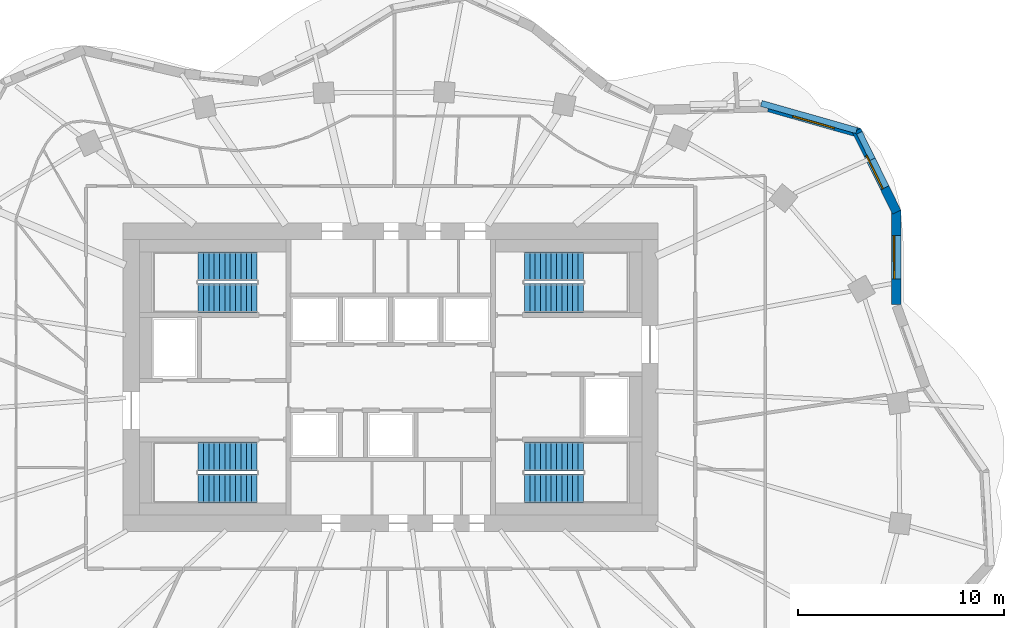
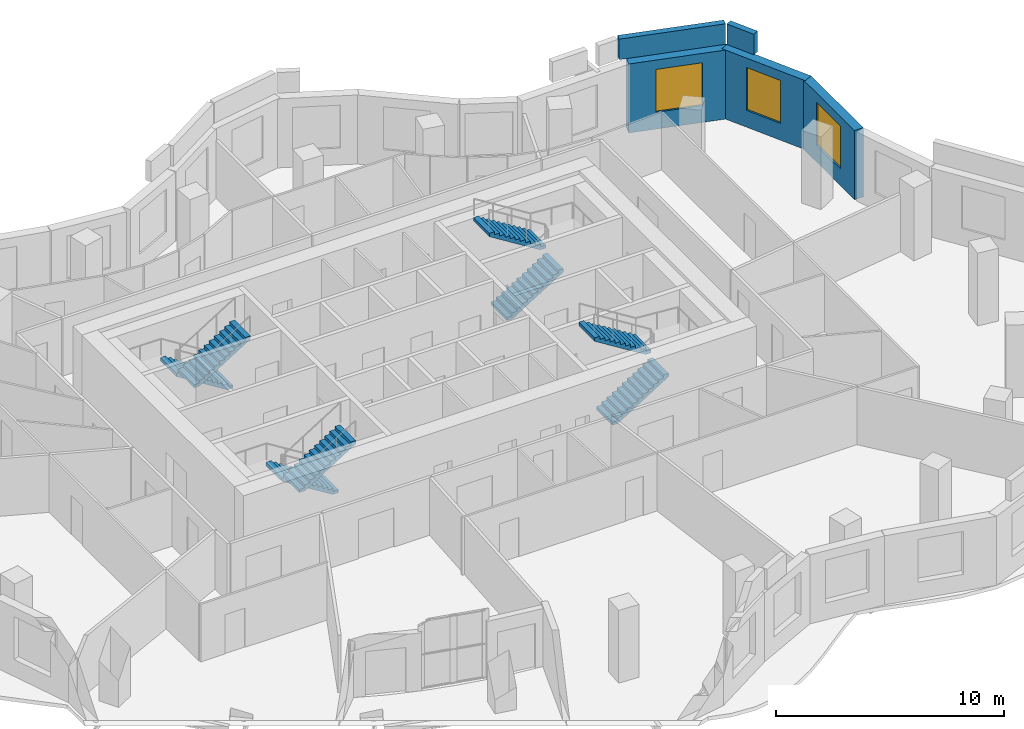
# One storey, part 11 of 13: 8 stair flights, 5 walls, 3 windows, 3 openings, 4 elements without a shape of their own.
"""IFC4 building model written with IfcOpenShell, lengths in metres."""

from ifc_helpers import new_model, si_unit, direction, frame, frame_2d, origin, place, context, subcontext, project, spatial, polyline, rectangle, outline, extrude, material, layer, layer_set, type_object, element, fill, aggregate, save


model = new_model("IFC4")

# Units and contexts
model_context = context("Model", 3, precision=1e-05, world=origin(), true_north=direction((0.0, 1.0)))
body_context = subcontext(model_context, "Body", "Model", "MODEL_VIEW")
ifc_project = project(units=[si_unit("LENGTHUNIT", "METRE"), si_unit("AREAUNIT", "SQUARE_METRE"), si_unit("VOLUMEUNIT", "CUBIC_METRE"), si_unit("PLANEANGLEUNIT", "RADIAN"), si_unit("MASSUNIT", "GRAM", prefix="KILO")], contexts=[model_context])

# Site, building, storey
site_placement = place(None, origin())
site = spatial("IfcSite", under=ifc_project, at=site_placement, CompositionType="ELEMENT")
building_placement = place(site_placement, origin())
building = spatial("IfcBuilding", under=site, at=building_placement, Name="Rubra Terraces Tower", CompositionType="ELEMENT")
storey_placement = place(building_placement, frame((0.0, 0.0, 252.60009765625)))
storey = spatial("IfcBuildingStorey", under=building, at=storey_placement, Name="L62", CompositionType="ELEMENT", Elevation=252.60009765625)

# Wall, opening, window
ifc_material_1 = material(Name="Brick masonry red-brown", Category="masonry")
ifc_layer_1 = layer(ifc_material_1, 0.449951171875)
ifc_layer_set_1 = layer_set([ifc_layer_1], Name="Brick masonry red-brown")
wall_type_1 = type_object("IfcWallType", Name="Brick facade wall 450", PredefinedType="SOLIDWALL", material=ifc_layer_set_1)
wall_1_placement = place(storey_placement, frame((24.5712890625, 8.044189453125, 0.0), z_axis=(0.0, 0.0, 1.0), x_axis=(-0.001546005189, 0.999998804933, 0.0)))
wall_1 = element("IfcWall", 1, at=wall_1_placement, inside=storey, type_object=wall_type_1, Name="Facade wall L62 bay 3", PredefinedType="SOLIDWALL", context=body_context, shape_type="SweptSolid", body=[
    extrude(rectangle(XDim=4.57958984375, YDim=0.449951171875, at=frame_2d((2.289794921875, 0.0))), origin(), (0.0, 0.0, 1.0), 3.699951171875),
])
opening_1_placement = place(wall_1_placement, frame((1.23974609375, 0.0, 0.89990234375)))
opening_1 = element("IfcOpeningElement", 2, at=opening_1_placement, cuts=wall_1, Name="Opening W1B", PredefinedType="OPENING", context=body_context, shape_type="SweptSolid", body=[
    extrude(rectangle(XDim=2.10009765625, YDim=2.300048828125, at=frame_2d((1.050048828125, 1.14990234375))), frame((0.0, 0.23486328125, 0.0), z_axis=(0.0, -1.0, 0.0), x_axis=(1.0, 0.0, 0.0)), (0.0, 0.0, 1.0), 0.469970703125),
])
ifc_material_2 = material(Name="Clear glass in aluminium frame", Category="aluminium")
window_type_1 = type_object("IfcWindowType", Name="Fixed deep-set window tall storey 2100 x 2300", PartitioningType="SINGLE_PANEL", PredefinedType="WINDOW", material=ifc_material_2)
window_1_placement = place(opening_1_placement, origin())
window_1 = element("IfcWindow", 3, at=window_1_placement, inside=storey, type_object=window_type_1, Name="Window L62 bay 3", OverallHeight=2.300048828125, OverallWidth=2.10009765625, PartitioningType="SINGLE_PANEL", PredefinedType="WINDOW", context=body_context, shape_type="SweptSolid", body=[
    extrude(rectangle(XDim=2.10009765625, YDim=2.300048828125, at=frame_2d((1.050048828125, 1.14990234375))), frame((0.0, 0.135009765625, 0.0), z_axis=(0.0, -1.0, 0.0), x_axis=(1.0, 0.0, 0.0)), (0.0, 0.0, 1.0), 0.06005859375),
])
fill(opening_1, window_1)

wall_2_placement = place(storey_placement, frame((24.587158203125, 12.531494140625, 0.0), z_axis=(0.0, 0.0, 1.0), x_axis=(-0.441565582365, 0.897228976611, 0.0)))
wall_2 = element("IfcWall", 4, at=wall_2_placement, inside=storey, type_object=wall_type_1, Name="Facade wall L62 bay 4", PredefinedType="SOLIDWALL", context=body_context, shape_type="SweptSolid", body=[
    extrude(rectangle(XDim=4.416015625, YDim=0.449951171875, at=frame_2d((2.2080078125, 0.0))), origin(), (0.0, 0.0, 1.0), 3.699951171875),
])
opening_2_placement = place(wall_2_placement, frame((1.307861328125, 0.0, 0.89990234375)))
opening_2 = element("IfcOpeningElement", 5, at=opening_2_placement, cuts=wall_2, Name="Opening W6B", PredefinedType="OPENING", context=body_context, shape_type="SweptSolid", body=[
    extrude(rectangle(XDim=1.800048828125, YDim=2.300048828125, at=frame_2d((0.89990234375, 1.14990234375))), frame((0.0, 0.23486328125, 0.0), z_axis=(0.0, -1.0, 0.0), x_axis=(1.0, 0.0, 0.0)), (0.0, 0.0, 1.0), 0.469970703125),
])
window_type_2 = type_object("IfcWindowType", Name="Fixed deep-set window at wind fin tall storey 1800 x 2300", PartitioningType="SINGLE_PANEL", PredefinedType="WINDOW", material=ifc_material_2)
window_2_placement = place(opening_2_placement, origin())
window_2 = element("IfcWindow", 6, at=window_2_placement, inside=storey, type_object=window_type_2, Name="Window L62 bay 4", OverallHeight=2.300048828125, OverallWidth=1.800048828125, PartitioningType="SINGLE_PANEL", PredefinedType="WINDOW", context=body_context, shape_type="SweptSolid", body=[
    extrude(rectangle(XDim=1.800048828125, YDim=2.300048828125, at=frame_2d((0.89990234375, 1.14990234375))), frame((0.0, 0.135009765625, 0.0), z_axis=(0.0, -1.0, 0.0), x_axis=(1.0, 0.0, 0.0)), (0.0, 0.0, 1.0), 0.06005859375),
])
fill(opening_2, window_2)

wall_3_placement = place(storey_placement, frame((22.777587890625, 16.376708984375, 0.0), z_axis=(0.0, 0.0, 1.0), x_axis=(-0.961872816949, 0.273497137123, 0.0)))
wall_3 = element("IfcWall", 7, at=wall_3_placement, inside=storey, type_object=wall_type_1, Name="Facade wall L62 bay 5", PredefinedType="SOLIDWALL", context=body_context, shape_type="SweptSolid", body=[
    extrude(rectangle(XDim=4.584716796875, YDim=0.449951171875, at=frame_2d((2.29248046875, 0.0))), origin(), (0.0, 0.0, 1.0), 3.699951171875),
])
opening_3_placement = place(wall_3_placement, frame((1.242431640625, 0.0, 0.89990234375)))
opening_3 = element("IfcOpeningElement", 8, at=opening_3_placement, cuts=wall_3, Name="Opening W1B", PredefinedType="OPENING", context=body_context, shape_type="SweptSolid", body=[
    extrude(rectangle(XDim=2.10009765625, YDim=2.300048828125, at=frame_2d((1.050048828125, 1.14990234375))), frame((0.0, 0.23486328125, 0.0), z_axis=(0.0, -1.0, 0.0), x_axis=(1.0, 0.0, 0.0)), (0.0, 0.0, 1.0), 0.469970703125),
])
window_3_placement = place(opening_3_placement, origin())
window_3 = element("IfcWindow", 9, at=window_3_placement, inside=storey, type_object=window_type_1, Name="Window L62 bay 5", OverallHeight=2.300048828125, OverallWidth=2.10009765625, PartitioningType="SINGLE_PANEL", PredefinedType="WINDOW", context=body_context, shape_type="SweptSolid", body=[
    extrude(rectangle(XDim=2.10009765625, YDim=2.300048828125, at=frame_2d((1.050048828125, 1.14990234375))), frame((0.0, 0.135009765625, 0.0), z_axis=(0.0, -1.0, 0.0), x_axis=(1.0, 0.0, 0.0)), (0.0, 0.0, 1.0), 0.06005859375),
])
fill(opening_3, window_3)

# Walls
ifc_layer_2 = layer(ifc_material_1, 0.300048828125)
ifc_layer_set_2 = layer_set([ifc_layer_2], Name="Brick masonry red-brown")
wall_type_2 = type_object("IfcWallType", Name="Brick parapet 300", PredefinedType="PARAPET", material=ifc_layer_set_2)
wall_4_placement = place(storey_placement, frame((23.40673828125, 15.099609375, 3.89990234375), z_axis=(0.0, 0.0, 1.0), x_axis=(-0.441525139575, 0.897248879143, 0.0)))
element("IfcWall", 10, at=wall_4_placement, inside=storey, type_object=wall_type_2, Name="Parapet L62 bay 4", PredefinedType="PARAPET", context=body_context, shape_type="SweptSolid", body=[
    extrude(rectangle(XDim=1.42724609375, YDim=0.300048828125, at=frame_2d((0.713623046875, 0.0))), origin(), (0.0, 0.0, 1.0), 1.10009765625),
])
wall_5_placement = place(storey_placement, frame((22.640869140625, 16.493408203125, 3.89990234375), z_axis=(0.0, 0.0, 1.0), x_axis=(-0.961855991684, 0.273556303641, 0.0)))
element("IfcWall", 11, at=wall_5_placement, inside=storey, type_object=wall_type_2, Name="Parapet L62 bay 5", PredefinedType="PARAPET", context=body_context, shape_type="SweptSolid", body=[
    extrude(rectangle(XDim=4.817626953125, YDim=0.300048828125, at=frame_2d((2.40869140625, 0.0))), origin(), (0.0, 0.0, 1.0), 1.10009765625),
])

# Stair, stair flights
ifc_material_3 = material(Name="Concrete C40", Category="concrete")
stair_type = type_object("IfcStairType", Name="Core stair 1400", PredefinedType="HALF_TURN_STAIR", material=ifc_material_3)
stair_1_placement = place(storey_placement, origin())
stair_1 = element("IfcStair", 12, at=stair_1_placement, inside=storey, type_object=stair_type, Name="L62 Exit stair S1", PredefinedType="HALF_TURN_STAIR")
stair_flight_type = type_object("IfcStairFlightType", Name="Core stair flight 1400", PredefinedType="STRAIGHT", material=ifc_material_3)
stair_flight_1_placement = place(storey_placement, frame((-6.5, 0.64990234375, 0.0), z_axis=(0.0, 0.0, 1.0), x_axis=(-1.0, 0.0, 0.0)))
stair_flight_1 = element("IfcStairFlight", 13, at=stair_flight_1_placement, type_object=stair_flight_type, Name="S1 flight 1", NumberOfRisers=12, NumberOfTreads=11, PredefinedType="STRAIGHT", RiserHeight=0.1625, TreadLength=0.26, context=body_context, shape_type="SweptSolid", body=[
    extrude(outline(polyline([(0.0, 0.0), (0.0, 0.16259765625), (0.260009765625, 0.16259765625), (0.260009765625, 0.324951171875), (0.52001953125, 0.324951171875), (0.52001953125, 0.487548828125), (0.780029296875, 0.487548828125), (0.780029296875, 0.64990234375), (1.0400390625, 0.64990234375), (1.0400390625, 0.8125), (1.300048828125, 0.8125), (1.300048828125, 0.97509765625), (1.56005859375, 0.97509765625), (1.56005859375, 1.137451171875), (1.820068359375, 1.137451171875), (1.820068359375, 1.300048828125), (2.080078125, 1.300048828125), (2.080078125, 1.46240234375), (2.340087890625, 1.46240234375), (2.340087890625, 1.625), (2.60009765625, 1.625), (2.60009765625, 1.78759765625), (2.860107421875, 1.78759765625), (2.860107421875, 1.949951171875), (2.860107421875, 1.61083984375), (0.28271484375, 0.0), (0.0, 0.0)])), frame((0.0, 0.699951171875, 0.0), z_axis=(0.0, -1.0, 0.0), x_axis=(1.0, 0.0, 0.0)), (0.0, 0.0, 1.0), 1.39990234375),
])
stair_flight_2_placement = place(storey_placement, frame((-9.360107421875, -0.89990234375, 1.949951171875), z_axis=(0.0, 0.0, 1.0), x_axis=(1.0, 0.0, 0.0)))
stair_flight_2 = element("IfcStairFlight", 14, at=stair_flight_2_placement, type_object=stair_flight_type, Name="S1 flight 2", NumberOfRisers=12, NumberOfTreads=11, PredefinedType="STRAIGHT", RiserHeight=0.1625, TreadLength=0.26, context=body_context, shape_type="SweptSolid", body=[
    extrude(outline(polyline([(0.0, 0.0), (0.0, 0.16259765625), (0.260009765625, 0.16259765625), (0.260009765625, 0.324951171875), (0.52001953125, 0.324951171875), (0.52001953125, 0.487548828125), (0.780029296875, 0.487548828125), (0.780029296875, 0.64990234375), (1.0400390625, 0.64990234375), (1.0400390625, 0.8125), (1.300048828125, 0.8125), (1.300048828125, 0.97509765625), (1.56005859375, 0.97509765625), (1.56005859375, 1.137451171875), (1.820068359375, 1.137451171875), (1.820068359375, 1.300048828125), (2.080078125, 1.300048828125), (2.080078125, 1.46240234375), (2.340087890625, 1.46240234375), (2.340087890625, 1.625), (2.60009765625, 1.625), (2.60009765625, 1.78759765625), (2.860107421875, 1.78759765625), (2.860107421875, 1.949951171875), (2.860107421875, 1.61083984375), (0.28271484375, 0.0), (0.0, 0.0)])), frame((0.0, 0.699951171875, 0.0), z_axis=(0.0, -1.0, 0.0), x_axis=(1.0, 0.0, 0.0)), (0.0, 0.0, 1.0), 1.39990234375),
])
aggregate(stair_1, [stair_flight_1, stair_flight_2])

stair_2_placement = place(storey_placement, origin())
stair_2 = element("IfcStair", 15, at=stair_2_placement, inside=storey, type_object=stair_type, Name="L62 Exit stair S2", PredefinedType="HALF_TURN_STAIR")
stair_flight_3_placement = place(storey_placement, frame((-6.5, 9.89990234375, 0.0), z_axis=(0.0, 0.0, 1.0), x_axis=(-1.0, 0.0, 0.0)))
stair_flight_3 = element("IfcStairFlight", 16, at=stair_flight_3_placement, type_object=stair_flight_type, Name="S2 flight 1", NumberOfRisers=12, NumberOfTreads=11, PredefinedType="STRAIGHT", RiserHeight=0.1625, TreadLength=0.26, context=body_context, shape_type="SweptSolid", body=[
    extrude(outline(polyline([(0.0, 0.0), (0.0, 0.16259765625), (0.260009765625, 0.16259765625), (0.260009765625, 0.324951171875), (0.52001953125, 0.324951171875), (0.52001953125, 0.487548828125), (0.780029296875, 0.487548828125), (0.780029296875, 0.64990234375), (1.0400390625, 0.64990234375), (1.0400390625, 0.8125), (1.300048828125, 0.8125), (1.300048828125, 0.97509765625), (1.56005859375, 0.97509765625), (1.56005859375, 1.137451171875), (1.820068359375, 1.137451171875), (1.820068359375, 1.300048828125), (2.080078125, 1.300048828125), (2.080078125, 1.46240234375), (2.340087890625, 1.46240234375), (2.340087890625, 1.625), (2.60009765625, 1.625), (2.60009765625, 1.78759765625), (2.860107421875, 1.78759765625), (2.860107421875, 1.949951171875), (2.860107421875, 1.61083984375), (0.28271484375, 0.0), (0.0, 0.0)])), frame((0.0, 0.699951171875, 0.0), z_axis=(0.0, -1.0, 0.0), x_axis=(1.0, 0.0, 0.0)), (0.0, 0.0, 1.0), 1.39990234375),
])
stair_flight_4_placement = place(storey_placement, frame((-9.360107421875, 8.35009765625, 1.949951171875), z_axis=(0.0, 0.0, 1.0), x_axis=(1.0, 0.0, 0.0)))
stair_flight_4 = element("IfcStairFlight", 17, at=stair_flight_4_placement, type_object=stair_flight_type, Name="S2 flight 2", NumberOfRisers=12, NumberOfTreads=11, PredefinedType="STRAIGHT", RiserHeight=0.1625, TreadLength=0.26, context=body_context, shape_type="SweptSolid", body=[
    extrude(outline(polyline([(0.0, 0.0), (0.0, 0.16259765625), (0.260009765625, 0.16259765625), (0.260009765625, 0.324951171875), (0.52001953125, 0.324951171875), (0.52001953125, 0.487548828125), (0.780029296875, 0.487548828125), (0.780029296875, 0.64990234375), (1.0400390625, 0.64990234375), (1.0400390625, 0.8125), (1.300048828125, 0.8125), (1.300048828125, 0.97509765625), (1.56005859375, 0.97509765625), (1.56005859375, 1.137451171875), (1.820068359375, 1.137451171875), (1.820068359375, 1.300048828125), (2.080078125, 1.300048828125), (2.080078125, 1.46240234375), (2.340087890625, 1.46240234375), (2.340087890625, 1.625), (2.60009765625, 1.625), (2.60009765625, 1.78759765625), (2.860107421875, 1.78759765625), (2.860107421875, 1.949951171875), (2.860107421875, 1.61083984375), (0.28271484375, 0.0), (0.0, 0.0)])), frame((0.0, 0.699951171875, 0.0), z_axis=(0.0, -1.0, 0.0), x_axis=(1.0, 0.0, 0.0)), (0.0, 0.0, 1.0), 1.39990234375),
])
aggregate(stair_2, [stair_flight_3, stair_flight_4])

stair_3_placement = place(storey_placement, origin())
stair_3 = element("IfcStair", 18, at=stair_3_placement, inside=storey, type_object=stair_type, Name="L62 Exit stair S3", PredefinedType="HALF_TURN_STAIR")
stair_flight_5_placement = place(storey_placement, frame((6.5, 8.35009765625, 0.0), z_axis=(0.0, 0.0, 1.0), x_axis=(1.0, 0.0, 0.0)))
stair_flight_5 = element("IfcStairFlight", 19, at=stair_flight_5_placement, type_object=stair_flight_type, Name="S3 flight 1", NumberOfRisers=12, NumberOfTreads=11, PredefinedType="STRAIGHT", RiserHeight=0.1625, TreadLength=0.26, context=body_context, shape_type="SweptSolid", body=[
    extrude(outline(polyline([(0.0, 0.0), (0.0, 0.16259765625), (0.260009765625, 0.16259765625), (0.260009765625, 0.324951171875), (0.52001953125, 0.324951171875), (0.52001953125, 0.487548828125), (0.780029296875, 0.487548828125), (0.780029296875, 0.64990234375), (1.0400390625, 0.64990234375), (1.0400390625, 0.8125), (1.300048828125, 0.8125), (1.300048828125, 0.97509765625), (1.56005859375, 0.97509765625), (1.56005859375, 1.137451171875), (1.820068359375, 1.137451171875), (1.820068359375, 1.300048828125), (2.080078125, 1.300048828125), (2.080078125, 1.46240234375), (2.340087890625, 1.46240234375), (2.340087890625, 1.625), (2.60009765625, 1.625), (2.60009765625, 1.78759765625), (2.860107421875, 1.78759765625), (2.860107421875, 1.949951171875), (2.860107421875, 1.61083984375), (0.28271484375, 0.0), (0.0, 0.0)])), frame((0.0, 0.699951171875, 0.0), z_axis=(0.0, -1.0, 0.0), x_axis=(1.0, 0.0, 0.0)), (0.0, 0.0, 1.0), 1.39990234375),
])
stair_flight_6_placement = place(storey_placement, frame((9.360107421875, 9.89990234375, 1.949951171875), z_axis=(0.0, 0.0, 1.0), x_axis=(-1.0, 0.0, 0.0)))
stair_flight_6 = element("IfcStairFlight", 20, at=stair_flight_6_placement, type_object=stair_flight_type, Name="S3 flight 2", NumberOfRisers=12, NumberOfTreads=11, PredefinedType="STRAIGHT", RiserHeight=0.1625, TreadLength=0.26, context=body_context, shape_type="SweptSolid", body=[
    extrude(outline(polyline([(0.0, 0.0), (0.0, 0.16259765625), (0.260009765625, 0.16259765625), (0.260009765625, 0.324951171875), (0.52001953125, 0.324951171875), (0.52001953125, 0.487548828125), (0.780029296875, 0.487548828125), (0.780029296875, 0.64990234375), (1.0400390625, 0.64990234375), (1.0400390625, 0.8125), (1.300048828125, 0.8125), (1.300048828125, 0.97509765625), (1.56005859375, 0.97509765625), (1.56005859375, 1.137451171875), (1.820068359375, 1.137451171875), (1.820068359375, 1.300048828125), (2.080078125, 1.300048828125), (2.080078125, 1.46240234375), (2.340087890625, 1.46240234375), (2.340087890625, 1.625), (2.60009765625, 1.625), (2.60009765625, 1.78759765625), (2.860107421875, 1.78759765625), (2.860107421875, 1.949951171875), (2.860107421875, 1.61083984375), (0.28271484375, 0.0), (0.0, 0.0)])), frame((0.0, 0.699951171875, 0.0), z_axis=(0.0, -1.0, 0.0), x_axis=(1.0, 0.0, 0.0)), (0.0, 0.0, 1.0), 1.39990234375),
])
aggregate(stair_3, [stair_flight_5, stair_flight_6])

stair_4_placement = place(storey_placement, origin())
stair_4 = element("IfcStair", 21, at=stair_4_placement, inside=storey, type_object=stair_type, Name="L62 Exit stair S4", PredefinedType="HALF_TURN_STAIR")
stair_flight_7_placement = place(storey_placement, frame((6.5, -0.89990234375, 0.0), z_axis=(0.0, 0.0, 1.0), x_axis=(1.0, 0.0, 0.0)))
stair_flight_7 = element("IfcStairFlight", 22, at=stair_flight_7_placement, type_object=stair_flight_type, Name="S4 flight 1", NumberOfRisers=12, NumberOfTreads=11, PredefinedType="STRAIGHT", RiserHeight=0.1625, TreadLength=0.26, context=body_context, shape_type="SweptSolid", body=[
    extrude(outline(polyline([(0.0, 0.0), (0.0, 0.16259765625), (0.260009765625, 0.16259765625), (0.260009765625, 0.324951171875), (0.52001953125, 0.324951171875), (0.52001953125, 0.487548828125), (0.780029296875, 0.487548828125), (0.780029296875, 0.64990234375), (1.0400390625, 0.64990234375), (1.0400390625, 0.8125), (1.300048828125, 0.8125), (1.300048828125, 0.97509765625), (1.56005859375, 0.97509765625), (1.56005859375, 1.137451171875), (1.820068359375, 1.137451171875), (1.820068359375, 1.300048828125), (2.080078125, 1.300048828125), (2.080078125, 1.46240234375), (2.340087890625, 1.46240234375), (2.340087890625, 1.625), (2.60009765625, 1.625), (2.60009765625, 1.78759765625), (2.860107421875, 1.78759765625), (2.860107421875, 1.949951171875), (2.860107421875, 1.61083984375), (0.28271484375, 0.0), (0.0, 0.0)])), frame((0.0, 0.699951171875, 0.0), z_axis=(0.0, -1.0, 0.0), x_axis=(1.0, 0.0, 0.0)), (0.0, 0.0, 1.0), 1.39990234375),
])
stair_flight_8_placement = place(storey_placement, frame((9.360107421875, 0.64990234375, 1.949951171875), z_axis=(0.0, 0.0, 1.0), x_axis=(-1.0, 0.0, 0.0)))
stair_flight_8 = element("IfcStairFlight", 23, at=stair_flight_8_placement, type_object=stair_flight_type, Name="S4 flight 2", NumberOfRisers=12, NumberOfTreads=11, PredefinedType="STRAIGHT", RiserHeight=0.1625, TreadLength=0.26, context=body_context, shape_type="SweptSolid", body=[
    extrude(outline(polyline([(0.0, 0.0), (0.0, 0.16259765625), (0.260009765625, 0.16259765625), (0.260009765625, 0.324951171875), (0.52001953125, 0.324951171875), (0.52001953125, 0.487548828125), (0.780029296875, 0.487548828125), (0.780029296875, 0.64990234375), (1.0400390625, 0.64990234375), (1.0400390625, 0.8125), (1.300048828125, 0.8125), (1.300048828125, 0.97509765625), (1.56005859375, 0.97509765625), (1.56005859375, 1.137451171875), (1.820068359375, 1.137451171875), (1.820068359375, 1.300048828125), (2.080078125, 1.300048828125), (2.080078125, 1.46240234375), (2.340087890625, 1.46240234375), (2.340087890625, 1.625), (2.60009765625, 1.625), (2.60009765625, 1.78759765625), (2.860107421875, 1.78759765625), (2.860107421875, 1.949951171875), (2.860107421875, 1.61083984375), (0.28271484375, 0.0), (0.0, 0.0)])), frame((0.0, 0.699951171875, 0.0), z_axis=(0.0, -1.0, 0.0), x_axis=(1.0, 0.0, 0.0)), (0.0, 0.0, 1.0), 1.39990234375),
])
aggregate(stair_4, [stair_flight_7, stair_flight_8])

save(model, "model.ifc")
